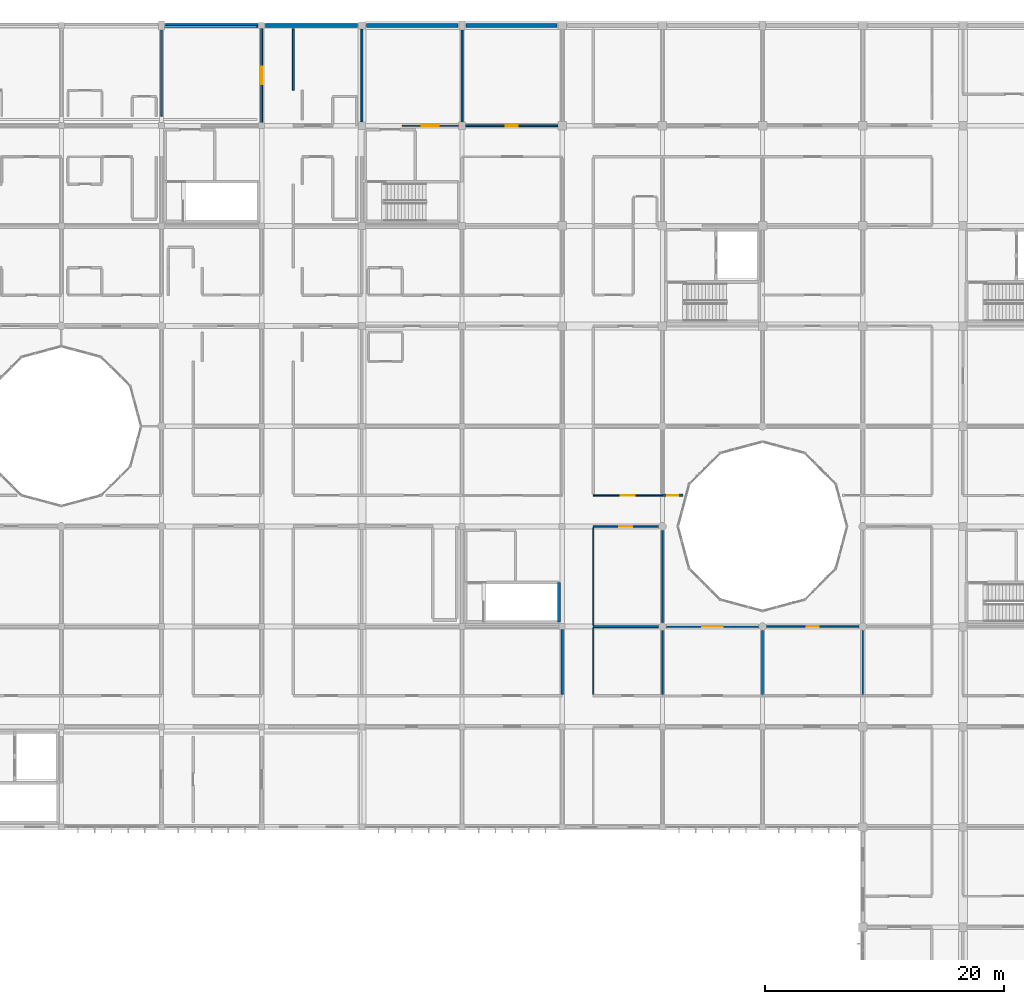
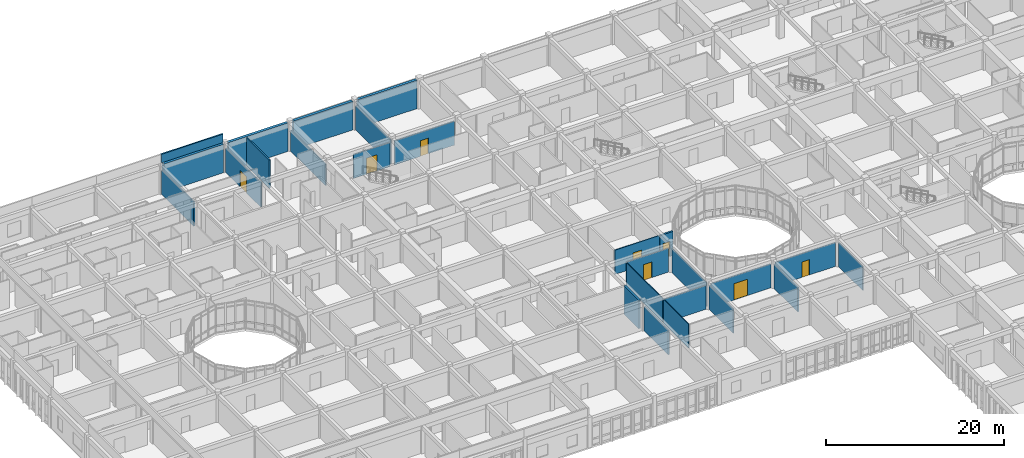
# One storey, part 89 of 119: 26 walls, 8 doors, 8 openings.
"""IFC4 building model written with IfcOpenShell, lengths in metres."""

from ifc_helpers import new_model, si_unit, direction, frame, frame_2d, origin, place, context, subcontext, project, spatial, rectangle, extrude, material, layer, layer_set, type_object, element, fill, save


model = new_model("IFC4")

# Units and contexts
model_context = context("Model", 3, precision=1e-05, world=origin(), true_north=direction((0.0, 1.0)))
body_context = subcontext(model_context, "Body", "Model", "MODEL_VIEW")
ifc_project = project(units=[si_unit("LENGTHUNIT", "METRE"), si_unit("AREAUNIT", "SQUARE_METRE"), si_unit("VOLUMEUNIT", "CUBIC_METRE"), si_unit("PLANEANGLEUNIT", "RADIAN"), si_unit("MASSUNIT", "GRAM", prefix="KILO")], contexts=[model_context])

# Site, building, storey
site_placement = place(None, origin())
site = spatial("IfcSite", under=ifc_project, at=site_placement, CompositionType="ELEMENT")
building_placement = place(site_placement, origin())
building = spatial("IfcBuilding", under=site, at=building_placement, Name="Bramfleet General Hospital", CompositionType="ELEMENT")
storey_placement = place(building_placement, frame((0.0, 0.0, 14.39990234375)))
storey = spatial("IfcBuildingStorey", under=building, at=storey_placement, Name="L03", CompositionType="ELEMENT", Elevation=14.39990234375)

# Walls
ifc_material_1 = material(Name="Concrete C35/45", Category="concrete")
ifc_layer_1 = layer(ifc_material_1, 0.360107421875, Name="WT-EW-02")
ifc_layer_set_1 = layer_set([ifc_layer_1], Name="Concrete C35/45")
wall_type_1 = type_object("IfcWallType", Name="WT-EW-02", PredefinedType="SOLIDWALL", material=ifc_layer_set_1)
wall_1_placement = place(storey_placement, frame((33.925048828125, 117.60009765625, 0.0), z_axis=(0.0, 0.0, 1.0), x_axis=(1.0, 0.0, 0.0)))
element("IfcWall", 1, at=wall_1_placement, inside=storey, type_object=wall_type_1, Name="L03 North REI 90-M Party Wall 241", PredefinedType="SOLIDWALL", context=body_context, shape_type="SweptSolid", body=[
    extrude(rectangle(XDim=7.75, YDim=0.360107421875, at=frame_2d((3.875, 0.0))), origin(), (0.0, 0.0, 1.0), 3.900146484375),
])
wall_2_placement = place(storey_placement, frame((42.324951171875, 117.60009765625, 0.0), z_axis=(0.0, 0.0, 1.0), x_axis=(1.0, 0.0, 0.0)))
element("IfcWall", 2, at=wall_2_placement, inside=storey, type_object=wall_type_1, Name="L03 North REI 90-M Party Wall 242", PredefinedType="SOLIDWALL", context=body_context, shape_type="SweptSolid", body=[
    extrude(rectangle(XDim=7.699951171875, YDim=0.360107421875, at=frame_2d((3.85009765625, 0.0))), origin(), (0.0, 0.0, 1.0), 3.900146484375),
])
wall_3_placement = place(storey_placement, frame((50.77490234375, 117.60009765625, 0.0), z_axis=(0.0, 0.0, 1.0), x_axis=(1.0, 0.0, 0.0)))
element("IfcWall", 3, at=wall_3_placement, inside=storey, type_object=wall_type_1, Name="L03 North REI 90-M Party Wall 243", PredefinedType="SOLIDWALL", context=body_context, shape_type="SweptSolid", body=[
    extrude(rectangle(XDim=7.7001953125, YDim=0.360107421875, at=frame_2d((3.85009765625, 0.0))), origin(), (0.0, 0.0, 1.0), 3.900146484375),
])
wall_4_placement = place(storey_placement, frame((59.125, 117.60009765625, 0.0), z_axis=(0.0, 0.0, 1.0), x_axis=(1.0, 0.0, 0.0)))
element("IfcWall", 4, at=wall_4_placement, inside=storey, type_object=wall_type_1, Name="L03 North REI 90-M Party Wall 244", PredefinedType="SOLIDWALL", context=body_context, shape_type="SweptSolid", body=[
    extrude(rectangle(XDim=7.64990234375, YDim=0.360107421875, at=frame_2d((3.824951171875, 0.0))), origin(), (0.0, 0.0, 1.0), 3.900146484375),
])

# Wall, opening, door
ifc_layer_2 = layer(ifc_material_1, 0.219970703125, Name="WT-IW-01")
ifc_layer_set_2 = layer_set([ifc_layer_2], Name="Concrete C35/45")
wall_type_2 = type_object("IfcWallType", Name="WT-IW-01", PredefinedType="PARTITIONING", material=ifc_layer_set_2)
wall_5_placement = place(storey_placement, frame((75.60009765625, 78.199951171875, 0.0), z_axis=(0.0, 0.0, 1.0), x_axis=(1.0, 0.0, 0.0)))
wall_5 = element("IfcWall", 5, at=wall_5_placement, inside=storey, type_object=wall_type_2, Name="L03 Interior Partition IW-L03-2605", PredefinedType="PARTITIONING", context=body_context, shape_type="SweptSolid", body=[
    extrude(rectangle(XDim=1.70654296875, YDim=0.219970703125, at=frame_2d((0.853271484375, 0.0))), origin(), (0.0, 0.0, 1.0), 3.330078125),
])
opening_1_placement = place(wall_5_placement, frame((0.393310546875, 0.0, 0.0)))
opening_1 = element("IfcOpeningElement", 6, at=opening_1_placement, cuts=wall_5, Name="Opening D1108", PredefinedType="OPENING", context=body_context, shape_type="SweptSolid", body=[
    extrude(rectangle(XDim=0.919921875, YDim=2.080078125, at=frame_2d((0.4599609375, 1.0400390625))), frame((0.0, 0.119873046875, 0.0), z_axis=(0.0, -1.0, 0.0), x_axis=(1.0, 0.0, 0.0)), (0.0, 0.0, 1.0), 0.239990234375),
])
ifc_material_2 = material(Name="Stainless steel and acoustic timber leaf", Category="steel")
door_type_1 = type_object("IfcDoorType", Name="DR-D-25", OperationType="NOTDEFINED", PredefinedType="DOOR", material=ifc_material_2)
door_1_placement = place(opening_1_placement, origin())
door_1 = element("IfcDoor", 7, at=door_1_placement, inside=storey, type_object=door_type_1, Name="Courtyard Waiting Lounge L03-0909 Door D1108", OperationType="SINGLE_SWING_LEFT", OverallHeight=2.080078125, OverallWidth=0.919921875, PredefinedType="DOOR", context=body_context, shape_type="SweptSolid", body=[
    extrude(rectangle(XDim=0.919921875, YDim=2.080078125, at=frame_2d((0.4599609375, 1.0400390625))), frame((0.0, 0.02490234375, 0.0), z_axis=(0.0, -1.0, 0.0), x_axis=(1.0, 0.0, 0.0)), (0.0, 0.0, 1.0), 0.050048828125),
])
fill(opening_1, door_1)

# Walls
ifc_layer_3 = layer(ifc_material_1, 0.179931640625, Name="WT-IW-04")
ifc_layer_set_3 = layer_set([ifc_layer_3], Name="Concrete C35/45")
wall_type_3 = type_object("IfcWallType", Name="WT-IW-04", PredefinedType="PARTITIONING", material=ifc_layer_set_3)
wall_6_placement = place(storey_placement, frame((67.199951171875, 61.514892578125, 0.0), z_axis=(0.0, 0.0, 1.0), x_axis=(0.0, 1.0, 0.0)))
element("IfcWall", 8, at=wall_6_placement, inside=storey, type_object=wall_type_3, Name="L03 Interior Partition IW-L03-2884", PredefinedType="PARTITIONING", context=body_context, shape_type="SweptSolid", body=[
    extrude(rectangle(XDim=5.440185546875, YDim=0.179931640625, at=frame_2d((2.72021484375, 0.0))), origin(), (0.0, 0.0, 1.0), 3.330078125),
])
ifc_material_3 = material(Name="Gypsum plasterboard on acoustic steel studs", Category="steel")
ifc_layer_4 = layer(ifc_material_3, 0.169921875, Name="WT-IW-05")
ifc_layer_set_4 = layer_set([ifc_layer_4], Name="Gypsum plasterboard on acoustic steel studs")
wall_type_4 = type_object("IfcWallType", Name="WT-IW-05", PredefinedType="PARTITIONING", material=ifc_layer_set_4)
wall_7_placement = place(storey_placement, frame((84.0, 61.514892578125, 0.0), z_axis=(0.0, 0.0, 1.0), x_axis=(0.0, 1.0, 0.0)))
element("IfcWall", 9, at=wall_7_placement, inside=storey, type_object=wall_type_4, Name="L03 Interior Partition IW-L03-2909", PredefinedType="PARTITIONING", context=body_context, shape_type="SweptSolid", body=[
    extrude(rectangle(XDim=5.364990234375, YDim=0.169921875, at=frame_2d((2.6826171875, 0.0))), origin(), (0.0, 0.0, 1.0), 3.330078125),
])

# Wall, opening, door
ifc_layer_5 = layer(ifc_material_3, 0.159912109375, Name="WT-IW-06")
ifc_layer_set_5 = layer_set([ifc_layer_5], Name="Gypsum plasterboard on acoustic steel studs")
wall_type_5 = type_object("IfcWallType", Name="WT-IW-06", PredefinedType="PARTITIONING", material=ifc_layer_set_5)
wall_8_placement = place(storey_placement, frame((53.75, 109.199951171875, 0.0), z_axis=(0.0, 0.0, 1.0), x_axis=(1.0, 0.0, 0.0)))
wall_8 = element("IfcWall", 10, at=wall_8_placement, inside=storey, type_object=wall_type_5, Name="L03 Interior Partition IW-L03-2741", PredefinedType="PARTITIONING", context=body_context, shape_type="SweptSolid", body=[
    extrude(rectangle(XDim=4.7548828125, YDim=0.159912109375, at=frame_2d((2.37744140625, 0.0))), origin(), (0.0, 0.0, 1.0), 3.2900390625),
])
opening_2_placement = place(wall_8_placement, frame((1.677490234375, 0.0, 0.0)))
opening_2 = element("IfcOpeningElement", 11, at=opening_2_placement, cuts=wall_8, Name="Opening D1089", PredefinedType="OPENING", context=body_context, shape_type="SweptSolid", body=[
    extrude(rectangle(XDim=1.39990234375, YDim=2.199951171875, at=frame_2d((0.699951171875, 1.10009765625))), frame((0.0, 0.08984375, 0.0), z_axis=(0.0, -1.0, 0.0), x_axis=(1.0, 0.0, 0.0)), (0.0, 0.0, 1.0), 0.179931640625),
])
door_type_2 = type_object("IfcDoorType", Name="DR-D-01", OperationType="NOTDEFINED", PredefinedType="DOOR", material=ifc_material_2)
door_2_placement = place(opening_2_placement, origin())
door_2 = element("IfcDoor", 12, at=door_2_placement, inside=storey, type_object=door_type_2, Name="Neonatal Intensive Care Ward L03-0613 Door D1089", OperationType="SINGLE_SWING_RIGHT", OverallHeight=2.199951171875, OverallWidth=1.39990234375, PredefinedType="DOOR", context=body_context, shape_type="SweptSolid", body=[
    extrude(rectangle(XDim=1.39990234375, YDim=2.199951171875, at=frame_2d((0.699951171875, 1.10009765625))), frame((0.0, 0.02490234375, 0.0), z_axis=(0.0, -1.0, 0.0), x_axis=(1.0, 0.0, 0.0)), (0.0, 0.0, 1.0), 0.050048828125),
])
fill(opening_2, door_2)

wall_9_placement = place(storey_placement, frame((59.094970703125, 109.199951171875, 0.0), z_axis=(0.0, 0.0, 1.0), x_axis=(1.0, 0.0, 0.0)))
wall_9 = element("IfcWall", 13, at=wall_9_placement, inside=storey, type_object=wall_type_5, Name="L03 Interior Partition IW-L03-2742", PredefinedType="PARTITIONING", context=body_context, shape_type="SweptSolid", body=[
    extrude(rectangle(XDim=7.760009765625, YDim=0.159912109375, at=frame_2d((3.8798828125, 0.0))), origin(), (0.0, 0.0, 1.0), 3.2900390625),
])
opening_3_placement = place(wall_9_placement, frame((3.3798828125, 0.0, 0.0)))
opening_3 = element("IfcOpeningElement", 14, at=opening_3_placement, cuts=wall_9, Name="Opening D1096", PredefinedType="OPENING", context=body_context, shape_type="SweptSolid", body=[
    extrude(rectangle(XDim=1.0, YDim=2.14990234375, at=frame_2d((0.5, 1.074951171875))), frame((0.0, 0.08984375, 0.0), z_axis=(0.0, -1.0, 0.0), x_axis=(1.0, 0.0, 0.0)), (0.0, 0.0, 1.0), 0.179931640625),
])
door_type_3 = type_object("IfcDoorType", Name="DR-D-08", OperationType="NOTDEFINED", PredefinedType="DOOR", material=ifc_material_2)
door_3_placement = place(opening_3_placement, origin())
door_3 = element("IfcDoor", 15, at=door_3_placement, inside=storey, type_object=door_type_3, Name="Maternity Delivery Suite and Clinical Lab L03-0713 Door D1096", OperationType="SINGLE_SWING_LEFT", OverallHeight=2.14990234375, OverallWidth=1.0, PredefinedType="DOOR", context=body_context, shape_type="SweptSolid", body=[
    extrude(rectangle(XDim=1.0, YDim=2.14990234375, at=frame_2d((0.5, 1.074951171875))), frame((0.0, 0.02490234375, 0.0), z_axis=(0.0, -1.0, 0.0), x_axis=(1.0, 0.0, 0.0)), (0.0, 0.0, 1.0), 0.050048828125),
])
fill(opening_3, door_3)

# Wall
wall_10_placement = place(storey_placement, frame((33.60009765625, 109.9951171875, 0.0), z_axis=(0.0, 0.0, 1.0), x_axis=(0.0, 1.0, 0.0)))
element("IfcWall", 16, at=wall_10_placement, inside=storey, type_object=wall_type_5, Name="L03 Interior Partition IW-L03-2829", PredefinedType="PARTITIONING", context=body_context, shape_type="SweptSolid", body=[
    extrude(rectangle(XDim=7.21484375, YDim=0.159912109375, at=frame_2d((3.607421875, 0.0))), origin(), (0.0, 0.0, 1.0), 3.340087890625),
])

# Wall, opening, door
wall_11_placement = place(storey_placement, frame((42.0, 109.445068359375, 0.0), z_axis=(0.0, 0.0, 1.0), x_axis=(0.0, 1.0, 0.0)))
wall_11 = element("IfcWall", 17, at=wall_11_placement, inside=storey, type_object=wall_type_5, Name="L03 Interior Partition IW-L03-2846", PredefinedType="PARTITIONING", context=body_context, shape_type="SweptSolid", body=[
    extrude(rectangle(XDim=7.909912109375, YDim=0.159912109375, at=frame_2d((3.955078125, 0.0))), origin(), (0.0, 0.0, 1.0), 3.340087890625),
])
opening_4_placement = place(wall_11_placement, frame((3.215087890625, 0.0, 0.0)))
opening_4 = element("IfcOpeningElement", 18, at=opening_4_placement, cuts=wall_11, Name="Opening D1072", PredefinedType="OPENING", context=body_context, shape_type="SweptSolid", body=[
    extrude(rectangle(XDim=1.47998046875, YDim=2.219970703125, at=frame_2d((0.739990234375, 1.10986328125))), frame((0.0, 0.08984375, 0.0), z_axis=(0.0, -1.0, 0.0), x_axis=(1.0, 0.0, 0.0)), (0.0, 0.0, 1.0), 0.179931640625),
])
door_type_4 = type_object("IfcDoorType", Name="DR-D-16", OperationType="NOTDEFINED", PredefinedType="DOOR", material=ifc_material_2)
door_4_placement = place(opening_4_placement, origin())
door_4 = element("IfcDoor", 19, at=door_4_placement, inside=storey, type_object=door_type_4, Name="Neonatal Intensive Care Ward L03-0413 Door D1072", OperationType="SINGLE_SWING_LEFT", OverallHeight=2.219970703125, OverallWidth=1.47998046875, PredefinedType="DOOR", context=body_context, shape_type="SweptSolid", body=[
    extrude(rectangle(XDim=1.47998046875, YDim=2.219970703125, at=frame_2d((0.739990234375, 1.10986328125))), frame((0.0, 0.02490234375, 0.0), z_axis=(0.0, -1.0, 0.0), x_axis=(1.0, 0.0, 0.0)), (0.0, 0.0, 1.0), 0.050048828125),
])
fill(opening_4, door_4)

# Walls
wall_12_placement = place(storey_placement, frame((44.64990234375, 112.169921875, 0.0), z_axis=(0.0, 0.0, 1.0), x_axis=(0.0, 1.0, 0.0)))
element("IfcWall", 20, at=wall_12_placement, inside=storey, type_object=wall_type_5, Name="L03 Interior Partition IW-L03-2853", PredefinedType="PARTITIONING", context=body_context, shape_type="SweptSolid", body=[
    extrude(rectangle(XDim=5.150146484375, YDim=0.159912109375, at=frame_2d((2.5751953125, 0.0))), origin(), (0.0, 0.0, 1.0), 3.89013671875),
])
wall_13_placement = place(storey_placement, frame((50.39990234375, 109.4951171875, 0.0), z_axis=(0.0, 0.0, 1.0), x_axis=(0.0, 1.0, 0.0)))
element("IfcWall", 21, at=wall_13_placement, inside=storey, type_object=wall_type_5, Name="L03 Interior Partition IW-L03-2868", PredefinedType="PARTITIONING", context=body_context, shape_type="SweptSolid", body=[
    extrude(rectangle(XDim=7.809814453125, YDim=0.159912109375, at=frame_2d((3.90478515625, 0.0))), origin(), (0.0, 0.0, 1.0), 2.89013671875),
])
wall_14_placement = place(storey_placement, frame((58.800048828125, 109.4951171875, 0.0), z_axis=(0.0, 0.0, 1.0), x_axis=(0.0, 1.0, 0.0)))
element("IfcWall", 22, at=wall_14_placement, inside=storey, type_object=wall_type_5, Name="L03 Interior Partition IW-L03-2882", PredefinedType="PARTITIONING", context=body_context, shape_type="SweptSolid", body=[
    extrude(rectangle(XDim=7.73486328125, YDim=0.159912109375, at=frame_2d((3.867431640625, 0.0))), origin(), (0.0, 0.0, 1.0), 3.340087890625),
])
ifc_layer_6 = layer(ifc_material_3, 0.14990234375, Name="WT-IW-07")
ifc_layer_set_6 = layer_set([ifc_layer_6], Name="Gypsum plasterboard on acoustic steel studs")
wall_type_6 = type_object("IfcWallType", Name="WT-IW-07", PredefinedType="PARTITIONING", material=ifc_layer_set_6)
wall_15_placement = place(storey_placement, frame((69.800048828125, 67.199951171875, 0.0), z_axis=(0.0, 0.0, 1.0), x_axis=(1.0, 0.0, 0.0)))
element("IfcWall", 23, at=wall_15_placement, inside=storey, type_object=wall_type_6, Name="L03 Interior Partition IW-L03-2575", PredefinedType="PARTITIONING", context=body_context, shape_type="SweptSolid", body=[
    extrude(rectangle(XDim=5.47998046875, YDim=0.14990234375, at=frame_2d((2.739990234375, 0.0))), origin(), (0.0, 0.0, 1.0), 3.280029296875),
])

# Wall, opening, door
ifc_layer_7 = layer(ifc_material_3, 0.139892578125, Name="WT-IW-08")
ifc_layer_set_7 = layer_set([ifc_layer_7], Name="Gypsum plasterboard on acoustic steel studs")
wall_type_7 = type_object("IfcWallType", Name="WT-IW-08", PredefinedType="PARTITIONING", material=ifc_layer_set_7)
wall_16_placement = place(storey_placement, frame((75.919921875, 67.199951171875, 0.0), z_axis=(0.0, 0.0, 1.0), x_axis=(1.0, 0.0, 0.0)))
wall_16 = element("IfcWall", 24, at=wall_16_placement, inside=storey, type_object=wall_type_7, Name="L03 Interior Partition IW-L03-2576", PredefinedType="PARTITIONING", context=body_context, shape_type="SweptSolid", body=[
    extrude(rectangle(XDim=7.760009765625, YDim=0.139892578125, at=frame_2d((3.8798828125, 0.0))), origin(), (0.0, 0.0, 1.0), 3.280029296875),
])
opening_5_placement = place(wall_16_placement, frame((3.010009765625, 0.0, 0.0)))
opening_5 = element("IfcOpeningElement", 25, at=opening_5_placement, cuts=wall_16, Name="Opening D1107", PredefinedType="OPENING", context=body_context, shape_type="SweptSolid", body=[
    extrude(rectangle(XDim=1.739990234375, YDim=2.239990234375, at=frame_2d((0.8701171875, 1.1201171875))), frame((0.0, 0.079833984375, 0.0), z_axis=(0.0, -1.0, 0.0), x_axis=(1.0, 0.0, 0.0)), (0.0, 0.0, 1.0), 0.159912109375),
])
door_type_5 = type_object("IfcDoorType", Name="DR-D-19", OperationType="NOTDEFINED", PredefinedType="DOOR", material=ifc_material_2)
door_5_placement = place(opening_5_placement, origin())
door_5 = element("IfcDoor", 26, at=door_5_placement, inside=storey, type_object=door_type_5, Name="Courtyard Waiting Lounge L03-0908 Door D1107", OperationType="DOUBLE_SWING_RIGHT", OverallHeight=2.239990234375, OverallWidth=1.739990234375, PredefinedType="DOOR", context=body_context, shape_type="SweptSolid", body=[
    extrude(rectangle(XDim=1.739990234375, YDim=2.239990234375, at=frame_2d((0.8701171875, 1.1201171875))), frame((0.0, 0.02490234375, 0.0), z_axis=(0.0, -1.0, 0.0), x_axis=(1.0, 0.0, 0.0)), (0.0, 0.0, 1.0), 0.050048828125),
])
fill(opening_5, door_5)

ifc_layer_8 = layer(ifc_material_3, 0.1298828125, Name="WT-IW-09")
ifc_layer_set_8 = layer_set([ifc_layer_8], Name="Gypsum plasterboard on acoustic steel studs")
wall_type_8 = type_object("IfcWallType", Name="WT-IW-09", PredefinedType="PARTITIONING", material=ifc_layer_set_8)
wall_17_placement = place(storey_placement, frame((84.320068359375, 67.199951171875, 0.0), z_axis=(0.0, 0.0, 1.0), x_axis=(1.0, 0.0, 0.0)))
wall_17 = element("IfcWall", 27, at=wall_17_placement, inside=storey, type_object=wall_type_8, Name="L03 Interior Partition IW-L03-2577", PredefinedType="PARTITIONING", context=body_context, shape_type="SweptSolid", body=[
    extrude(rectangle(XDim=7.760009765625, YDim=0.1298828125, at=frame_2d((3.8798828125, 0.0))), origin(), (0.0, 0.0, 1.0), 3.280029296875),
])
opening_6_placement = place(wall_17_placement, frame((3.389892578125, 0.0, 0.0)))
opening_6 = element("IfcOpeningElement", 28, at=opening_6_placement, cuts=wall_17, Name="Opening D1114", PredefinedType="OPENING", context=body_context, shape_type="SweptSolid", body=[
    extrude(rectangle(XDim=0.97998046875, YDim=2.1201171875, at=frame_2d((0.489990234375, 1.06005859375))), frame((0.0, 0.074951171875, 0.0), z_axis=(0.0, -1.0, 0.0), x_axis=(1.0, 0.0, 0.0)), (0.0, 0.0, 1.0), 0.14990234375),
])
door_type_6 = type_object("IfcDoorType", Name="DR-D-26", OperationType="NOTDEFINED", PredefinedType="DOOR", material=ifc_material_2)
door_6_placement = place(opening_6_placement, origin())
door_6 = element("IfcDoor", 29, at=door_6_placement, inside=storey, type_object=door_type_6, Name="Courtyard Waiting Lounge L03-1008 Door D1114", OperationType="SINGLE_SWING_LEFT", OverallHeight=2.1201171875, OverallWidth=0.97998046875, PredefinedType="DOOR", context=body_context, shape_type="SweptSolid", body=[
    extrude(rectangle(XDim=0.97998046875, YDim=2.1201171875, at=frame_2d((0.489990234375, 1.06005859375))), frame((0.0, 0.02490234375, 0.0), z_axis=(0.0, -1.0, 0.0), x_axis=(1.0, 0.0, 0.0)), (0.0, 0.0, 1.0), 0.050048828125),
])
fill(opening_6, door_6)

ifc_layer_9 = layer(ifc_material_3, 0.1201171875, Name="WT-IW-10")
ifc_layer_set_9 = layer_set([ifc_layer_9], Name="Gypsum plasterboard on acoustic steel studs")
wall_type_9 = type_object("IfcWallType", Name="WT-IW-10", PredefinedType="PARTITIONING", material=ifc_layer_set_9)
wall_18_placement = place(storey_placement, frame((69.800048828125, 75.60009765625, 0.0), z_axis=(0.0, 0.0, 1.0), x_axis=(1.0, 0.0, 0.0)))
wall_18 = element("IfcWall", 30, at=wall_18_placement, inside=storey, type_object=wall_type_9, Name="L03 Interior Partition IW-L03-2590", PredefinedType="PARTITIONING", context=body_context, shape_type="SweptSolid", body=[
    extrude(rectangle(XDim=5.47998046875, YDim=0.1201171875, at=frame_2d((2.739990234375, 0.0))), origin(), (0.0, 0.0, 1.0), 3.280029296875),
])
opening_7_placement = place(wall_18_placement, frame((2.18994140625, 0.0, 0.0)))
opening_7 = element("IfcOpeningElement", 31, at=opening_7_placement, cuts=wall_18, Name="Opening D1099", PredefinedType="OPENING", context=body_context, shape_type="SweptSolid", body=[
    extrude(rectangle(XDim=1.10009765625, YDim=2.14990234375, at=frame_2d((0.550048828125, 1.074951171875))), frame((0.0, 0.070068359375, 0.0), z_axis=(0.0, -1.0, 0.0), x_axis=(1.0, 0.0, 0.0)), (0.0, 0.0, 1.0), 0.14013671875),
])
door_type_7 = type_object("IfcDoorType", Name="DR-D-11", OperationType="NOTDEFINED", PredefinedType="DOOR", material=ifc_material_2)
door_7_placement = place(opening_7_placement, origin())
door_7 = element("IfcDoor", 32, at=door_7_placement, inside=storey, type_object=door_type_7, Name="Maternity Delivery Suite and Clinical Lab L03-0808 Door D1099", OperationType="SINGLE_SWING_RIGHT", OverallHeight=2.14990234375, OverallWidth=1.10009765625, PredefinedType="DOOR", context=body_context, shape_type="SweptSolid", body=[
    extrude(rectangle(XDim=1.10009765625, YDim=2.14990234375, at=frame_2d((0.550048828125, 1.074951171875))), frame((0.0, 0.02490234375, 0.0), z_axis=(0.0, -1.0, 0.0), x_axis=(1.0, 0.0, 0.0)), (0.0, 0.0, 1.0), 0.050048828125),
])
fill(opening_7, door_7)

# Walls
wall_19_placement = place(storey_placement, frame((75.60009765625, 61.514892578125, 0.0), z_axis=(0.0, 0.0, 1.0), x_axis=(0.0, 1.0, 0.0)))
element("IfcWall", 33, at=wall_19_placement, inside=storey, type_object=wall_type_9, Name="L03 Interior Partition IW-L03-2902", PredefinedType="PARTITIONING", context=body_context, shape_type="SweptSolid", body=[
    extrude(rectangle(XDim=5.364990234375, YDim=0.1201171875, at=frame_2d((2.6826171875, 0.0))), origin(), (0.0, 0.0, 1.0), 3.330078125),
])
ifc_layer_10 = layer(ifc_material_3, 0.112060546875, Name="WT-IW-11")
ifc_layer_set_10 = layer_set([ifc_layer_10], Name="Gypsum plasterboard on acoustic steel studs")
wall_type_10 = type_object("IfcWallType", Name="WT-IW-11", PredefinedType="PARTITIONING", material=ifc_layer_set_10)
wall_20_placement = place(storey_placement, frame((69.800048828125, 61.514892578125, 0.0), z_axis=(0.0, 0.0, 1.0), x_axis=(0.0, 1.0, 0.0)))
element("IfcWall", 34, at=wall_20_placement, inside=storey, type_object=wall_type_10, Name="L03 Interior Partition IW-L03-2891", PredefinedType="PARTITIONING", context=body_context, shape_type="SweptSolid", body=[
    extrude(rectangle(XDim=5.570068359375, YDim=0.112060546875, at=frame_2d((2.78515625, 0.0))), origin(), (0.0, 0.0, 1.0), 3.280029296875),
])
wall_21_placement = place(storey_placement, frame((75.60009765625, 67.52001953125, 0.0), z_axis=(0.0, 0.0, 1.0), x_axis=(0.0, 1.0, 0.0)))
element("IfcWall", 35, at=wall_21_placement, inside=storey, type_object=wall_type_10, Name="L03 Interior Partition IW-L03-2903", PredefinedType="PARTITIONING", context=body_context, shape_type="SweptSolid", body=[
    extrude(rectangle(XDim=7.760009765625, YDim=0.112060546875, at=frame_2d((3.8798828125, 0.0))), origin(), (0.0, 0.0, 1.0), 3.330078125),
])
wall_22_placement = place(storey_placement, frame((92.39990234375, 61.514892578125, 0.0), z_axis=(0.0, 0.0, 1.0), x_axis=(0.0, 1.0, 0.0)))
element("IfcWall", 36, at=wall_22_placement, inside=storey, type_object=wall_type_10, Name="L03 Interior Partition IW-L03-2915", PredefinedType="PARTITIONING", context=body_context, shape_type="SweptSolid", body=[
    extrude(rectangle(XDim=5.364990234375, YDim=0.112060546875, at=frame_2d((2.6826171875, 0.0))), origin(), (0.0, 0.0, 1.0), 3.330078125),
])

# Wall, opening, door
ifc_layer_11 = layer(ifc_material_3, 0.10009765625, Name="WT-IW-12")
ifc_layer_set_11 = layer_set([ifc_layer_11], Name="Gypsum plasterboard on acoustic steel studs")
wall_type_11 = type_object("IfcWallType", Name="WT-IW-12", PredefinedType="PARTITIONING", material=ifc_layer_set_11)
wall_23_placement = place(storey_placement, frame((69.800048828125, 78.199951171875, 0.0), z_axis=(0.0, 0.0, 1.0), x_axis=(1.0, 0.0, 0.0)))
wall_23 = element("IfcWall", 37, at=wall_23_placement, inside=storey, type_object=wall_type_11, Name="L03 Interior Partition IW-L03-2604", PredefinedType="PARTITIONING", context=body_context, shape_type="SweptSolid", body=[
    extrude(rectangle(XDim=5.800048828125, YDim=0.10009765625, at=frame_2d((2.89990234375, 0.0))), origin(), (0.0, 0.0, 1.0), 3.330078125),
])
opening_8_placement = place(wall_23_placement, frame((2.324951171875, 0.0, 0.0)))
opening_8 = element("IfcOpeningElement", 38, at=opening_8_placement, cuts=wall_23, Name="Opening D1100", PredefinedType="OPENING", context=body_context, shape_type="SweptSolid", body=[
    extrude(rectangle(XDim=1.14990234375, YDim=2.14990234375, at=frame_2d((0.574951171875, 1.074951171875))), frame((0.0, 0.06005859375, 0.0), z_axis=(0.0, -1.0, 0.0), x_axis=(1.0, 0.0, 0.0)), (0.0, 0.0, 1.0), 0.1201171875),
])
door_type_8 = type_object("IfcDoorType", Name="DR-D-12", OperationType="NOTDEFINED", PredefinedType="DOOR", material=ifc_material_2)
door_8_placement = place(opening_8_placement, origin())
door_8 = element("IfcDoor", 39, at=door_8_placement, inside=storey, type_object=door_type_8, Name="Maternity Delivery Suite and Clinical Lab L03-0809 Door D1100", OperationType="SINGLE_SWING_LEFT", OverallHeight=2.14990234375, OverallWidth=1.14990234375, PredefinedType="DOOR", context=body_context, shape_type="SweptSolid", body=[
    extrude(rectangle(XDim=1.14990234375, YDim=2.14990234375, at=frame_2d((0.574951171875, 1.074951171875))), frame((0.0, 0.02490234375, 0.0), z_axis=(0.0, -1.0, 0.0), x_axis=(1.0, 0.0, 0.0)), (0.0, 0.0, 1.0), 0.050048828125),
])
fill(opening_8, door_8)

# Walls
wall_24_placement = place(storey_placement, frame((69.800048828125, 67.31494140625, 0.0), z_axis=(0.0, 0.0, 1.0), x_axis=(0.0, 1.0, 0.0)))
element("IfcWall", 40, at=wall_24_placement, inside=storey, type_object=wall_type_11, Name="L03 Interior Partition IW-L03-2892", PredefinedType="PARTITIONING", context=body_context, shape_type="SweptSolid", body=[
    extrude(rectangle(XDim=8.170166015625, YDim=0.10009765625, at=frame_2d((4.0849609375, 0.0))), origin(), (0.0, 0.0, 1.0), 3.280029296875),
])
ifc_material_4 = material(Name="Precast concrete C40/50", Category="concrete")
ifc_layer_12 = layer(ifc_material_4, 0.18505859375, Name="WT-PW-02")
ifc_layer_set_12 = layer_set([ifc_layer_12], Name="Precast concrete C40/50")
wall_type_12 = type_object("IfcWallType", Name="WT-PW-02", PredefinedType="PARAPET", material=ifc_layer_set_12)
wall_25_placement = place(storey_placement, frame((33.60009765625, 117.49755859375, 4.18017578125), z_axis=(0.0, 0.0, 1.0), x_axis=(1.0, 0.0, 0.0)))
element("IfcWall", 41, at=wall_25_placement, inside=storey, type_object=wall_type_12, Name="Roof Parapet Wall 59", PredefinedType="PARAPET", context=body_context, shape_type="SweptSolid", body=[
    extrude(rectangle(XDim=8.02001953125, YDim=0.18505859375, at=frame_2d((4.010009765625, 0.0))), origin(), (0.0, 0.0, 1.0), 1.169921875),
])
ifc_material_5 = material(Name="Concrete C40/50", Category="concrete")
ifc_layer_13 = layer(ifc_material_5, 0.239990234375, Name="WT-SW-240")
ifc_layer_set_13 = layer_set([ifc_layer_13], Name="Concrete C40/50")
wall_type_13 = type_object("IfcWallType", Name="WT-SW-240", PredefinedType="SHEAR", material=ifc_layer_set_13)
wall_26_placement = place(storey_placement, frame((66.919921875, 67.580078125, 0.0), z_axis=(0.0, 0.0, 1.0), x_axis=(0.0, 1.0, 0.0)))
element("IfcWall", 42, at=wall_26_placement, inside=storey, type_object=wall_type_13, Name="L03 C13 East Stair Shear Wall", PredefinedType="SHEAR", context=body_context, shape_type="SweptSolid", body=[
    extrude(rectangle(XDim=3.31982421875, YDim=0.239990234375, at=frame_2d((1.659912109375, 0.0))), origin(), (0.0, 0.0, 1.0), 3.900146484375),
])

save(model, "model.ifc")
